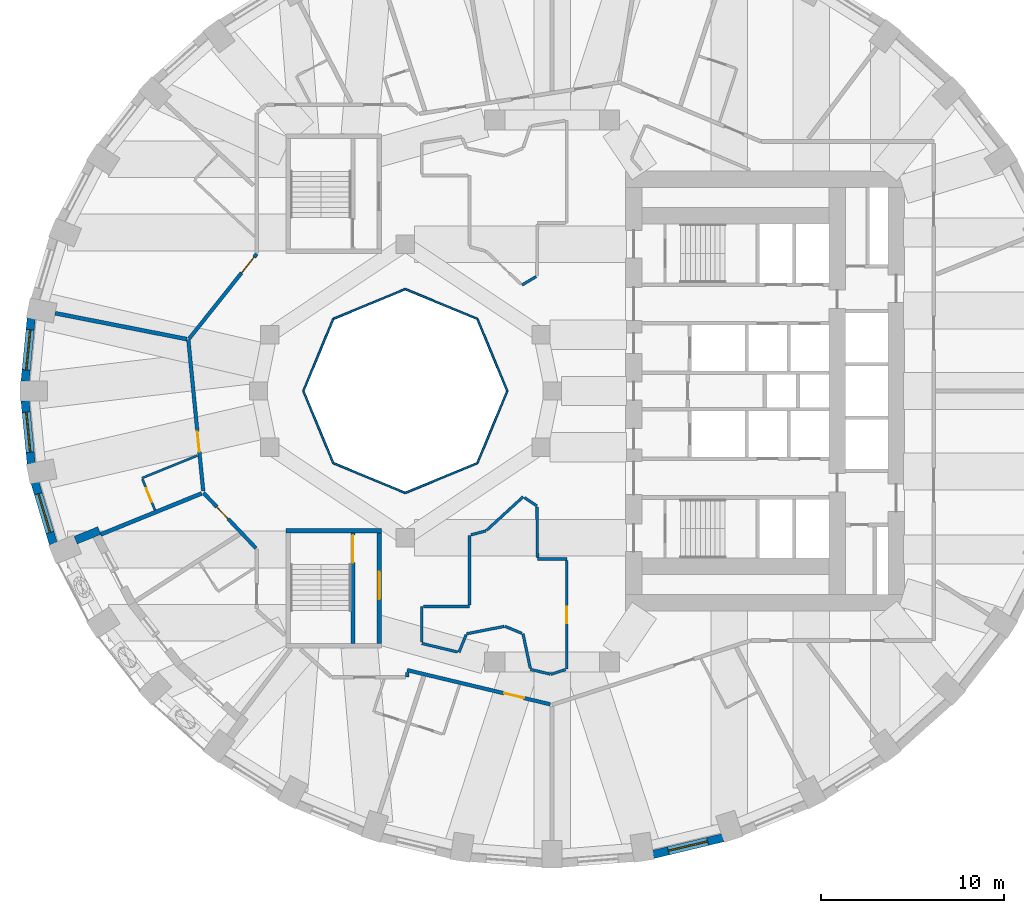
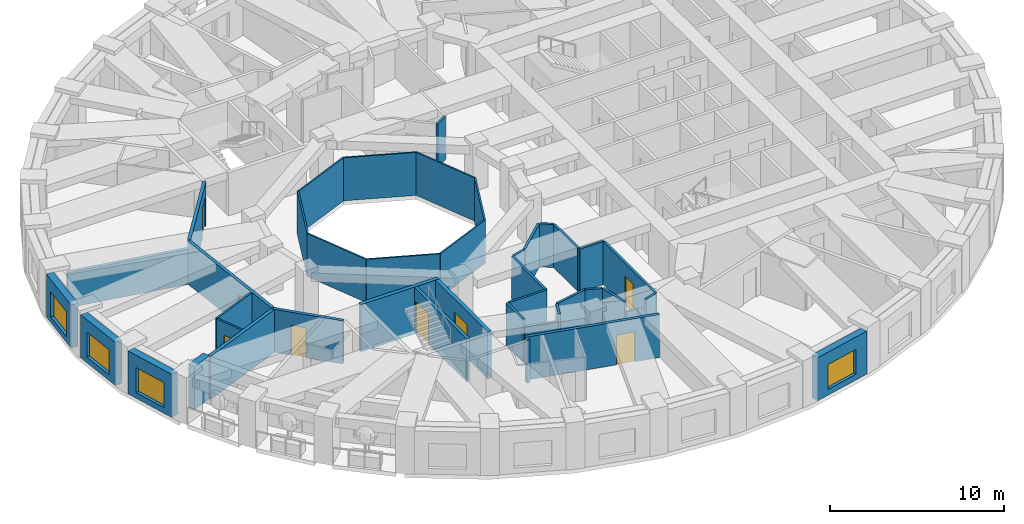
# One storey, part 4 of 13: 42 walls, 8 doors, 4 windows, 12 openings.
"""IFC4 building model written with IfcOpenShell, lengths in metres."""

from ifc_helpers import new_model, si_unit, direction, frame, frame_2d, origin, place, context, subcontext, project, spatial, rectangle, extrude, material, layer, layer_set, type_object, element, fill, save


model = new_model("IFC4")

# Units and contexts
model_context = context("Model", 3, precision=1e-05, world=origin(), true_north=direction((0.0, 1.0)))
body_context = subcontext(model_context, "Body", "Model", "MODEL_VIEW")
ifc_project = project(units=[si_unit("LENGTHUNIT", "METRE"), si_unit("AREAUNIT", "SQUARE_METRE"), si_unit("VOLUMEUNIT", "CUBIC_METRE"), si_unit("PLANEANGLEUNIT", "RADIAN"), si_unit("MASSUNIT", "GRAM", prefix="KILO")], contexts=[model_context])

# Site, building, storey
site_placement = place(None, origin())
site = spatial("IfcSite", under=ifc_project, at=site_placement, CompositionType="ELEMENT")
building_placement = place(site_placement, origin())
building = spatial("IfcBuilding", under=site, at=building_placement, Name="Taillehof Tower", CompositionType="ELEMENT")
storey_placement = place(building_placement, frame((0.0, 0.0, 54.699951171875)))
storey = spatial("IfcBuildingStorey", under=building, at=storey_placement, Name="L14", CompositionType="ELEMENT", Elevation=54.699951171875)

# Walls
ifc_material_1 = material(Name="Fire-resisting glass in steel frame", Category="steel")
ifc_layer_1 = layer(ifc_material_1, 0.10009765625)
ifc_layer_set_1 = layer_set([ifc_layer_1], Name="Atrium fire-resisting screen EI 60 100")
wall_type_1 = type_object("IfcWallType", Name="Atrium fire-resisting screen EI 60 100", PredefinedType="PARTITIONING", material=ifc_layer_set_1)
for number, where, z_axis, x_axis, name in (
    (1, (-2.44580078125, 0.0, 0.0), (0.0, 0.0, 1.0), (-0.382730523909, -0.923860025149, 0.0), "Atrium screen"),
    (2, (-4.07275390625, -3.92724609375, 0.0), (0.0, 0.0, 1.0), (-0.923860025149, -0.382730523909, 0.0), "Atrium screen"),
    (3, (-8.0, -5.55419921875, 0.0), (0.0, 0.0, 1.0), (-0.923860025149, 0.382730523909, 0.0), "Atrium screen"),
    (4, (-11.92724609375, -3.92724609375, 0.0), (0.0, 0.0, 1.0), (-0.382730523909, 0.923860025149, 0.0), "Atrium screen"),
    (5, (-13.55419921875, 0.0, 0.0), (0.0, 0.0, 1.0), (0.382730523909, 0.923860025149, 0.0), "Atrium screen"),
    (6, (-11.92724609375, 3.92724609375, 0.0), (0.0, 0.0, 1.0), (0.923860025149, 0.382730523909, 0.0), "Atrium screen"),
    (7, (-8.0, 5.55419921875, 0.0), (0.0, 0.0, 1.0), (0.923860025149, -0.382730523909, 0.0), "Atrium screen"),
    (8, (-4.07275390625, 3.92724609375, 0.0), (0.0, 0.0, 1.0), (0.382730523909, -0.923860025149, 0.0), "Atrium screen"),
):
    element("IfcWall", number, at=place(storey_placement, frame(where, z_axis=z_axis, x_axis=x_axis)), inside=storey, type_object=wall_type_1, Name=name, PredefinedType="PARTITIONING", context=body_context, shape_type="SweptSolid", body=[
        extrude(rectangle(XDim=4.2509765625, YDim=0.10009765625, at=frame_2d((2.12548828125, 0.0))), origin(), (0.0, 0.0, 1.0), 3.02001953125),
    ])

# Wall, opening, window
ifc_material_2 = material(Name="Brick masonry", Category="masonry")
ifc_layer_2 = layer(ifc_material_2, 0.449951171875)
ifc_layer_set_2 = layer_set([ifc_layer_2], Name="Brick infill wall 450")
wall_type_2 = type_object("IfcWallType", Name="Brick infill wall 450", PredefinedType="SOLIDWALL", material=ifc_layer_set_2)
wall_1_placement = place(storey_placement, frame((-28.38671875, 3.95556640625, 0.0), z_axis=(0.0, 0.0, 1.0), x_axis=(-0.097389581596, -0.995246336038, 0.0)))
wall_1 = element("IfcWall", 9, at=wall_1_placement, inside=storey, type_object=wall_type_2, Name="Brick wall L14 bay 18", PredefinedType="SOLIDWALL", context=body_context, shape_type="SweptSolid", body=[
    extrude(rectangle(XDim=3.44189453125, YDim=0.449951171875, at=frame_2d((1.720947265625, 0.0))), origin(), (0.0, 0.0, 1.0), 3.02001953125),
])
opening_1_placement = place(wall_1_placement, frame((0.62109375, 0.0, 0.39990234375)))
opening_1 = element("IfcOpeningElement", 10, at=opening_1_placement, cuts=wall_1, Name="Opening W1", PredefinedType="OPENING", context=body_context, shape_type="SweptSolid", body=[
    extrude(rectangle(XDim=2.199951171875, YDim=1.75, at=frame_2d((1.10009765625, 0.875))), frame((0.0, 0.23486328125, 0.0), z_axis=(0.0, -1.0, 0.0), x_axis=(1.0, 0.0, 0.0)), (0.0, 0.0, 1.0), 0.469970703125),
])
ifc_material_3 = material(Name="Aluminium window frame with clear double glazing", Category="aluminium")
window_type = type_object("IfcWindowType", Name="Deep-set window 2200x1750", PartitioningType="SINGLE_PANEL", PredefinedType="WINDOW", material=ifc_material_3)
window_1_placement = place(opening_1_placement, origin())
window_1 = element("IfcWindow", 11, at=window_1_placement, inside=storey, type_object=window_type, Name="W1", OverallHeight=1.75, OverallWidth=2.199951171875, PartitioningType="SINGLE_PANEL", PredefinedType="WINDOW", context=body_context, shape_type="SweptSolid", body=[
    extrude(rectangle(XDim=2.199951171875, YDim=1.75, at=frame_2d((1.10009765625, 0.875))), frame((0.0, 0.034912109375, 0.0), z_axis=(0.0, -1.0, 0.0), x_axis=(1.0, 0.0, 0.0)), (0.0, 0.0, 1.0), 0.06005859375),
])
fill(opening_1, window_1)

wall_2_placement = place(storey_placement, frame((-28.721923828125, -0.530029296875, 0.0), z_axis=(0.0, 0.0, 1.0), x_axis=(0.097389581596, -0.995246336038, 0.0)))
wall_2 = element("IfcWall", 12, at=wall_2_placement, inside=storey, type_object=wall_type_2, Name="Brick wall L14 bay 19", PredefinedType="SOLIDWALL", context=body_context, shape_type="SweptSolid", body=[
    extrude(rectangle(XDim=3.44189453125, YDim=0.449951171875, at=frame_2d((1.720947265625, 0.0))), origin(), (0.0, 0.0, 1.0), 3.02001953125),
])
opening_2_placement = place(wall_2_placement, frame((0.62109375, 0.0, 0.39990234375)))
opening_2 = element("IfcOpeningElement", 13, at=opening_2_placement, cuts=wall_2, Name="Opening W1", PredefinedType="OPENING", context=body_context, shape_type="SweptSolid", body=[
    extrude(rectangle(XDim=2.199951171875, YDim=1.75, at=frame_2d((1.10009765625, 0.875))), frame((0.0, 0.23486328125, 0.0), z_axis=(0.0, -1.0, 0.0), x_axis=(1.0, 0.0, 0.0)), (0.0, 0.0, 1.0), 0.469970703125),
])
window_2_placement = place(opening_2_placement, origin())
window_2 = element("IfcWindow", 14, at=window_2_placement, inside=storey, type_object=window_type, Name="W1", OverallHeight=1.75, OverallWidth=2.199951171875, PartitioningType="SINGLE_PANEL", PredefinedType="WINDOW", context=body_context, shape_type="SweptSolid", body=[
    extrude(rectangle(XDim=2.199951171875, YDim=1.75, at=frame_2d((1.10009765625, 0.875))), frame((0.0, 0.034912109375, 0.0), z_axis=(0.0, -1.0, 0.0), x_axis=(1.0, 0.0, 0.0)), (0.0, 0.0, 1.0), 0.06005859375),
])
fill(opening_2, window_2)

wall_3_placement = place(storey_placement, frame((-28.181884765625, -4.995849609375, 0.0), z_axis=(0.0, 0.0, 1.0), x_axis=(0.287064133733, -0.957911364963, 0.0)))
wall_3 = element("IfcWall", 15, at=wall_3_placement, inside=storey, type_object=wall_type_2, Name="Brick wall L14 bay 20", PredefinedType="SOLIDWALL", context=body_context, shape_type="SweptSolid", body=[
    extrude(rectangle(XDim=3.473388671875, YDim=0.449951171875, at=frame_2d((1.73681640625, 0.0))), origin(), (0.0, 0.0, 1.0), 3.02001953125),
])
opening_3_placement = place(wall_3_placement, frame((0.63671875, 0.0, 0.39990234375)))
opening_3 = element("IfcOpeningElement", 16, at=opening_3_placement, cuts=wall_3, Name="Opening W1", PredefinedType="OPENING", context=body_context, shape_type="SweptSolid", body=[
    extrude(rectangle(XDim=2.199951171875, YDim=1.75, at=frame_2d((1.10009765625, 0.875))), frame((0.0, 0.23486328125, 0.0), z_axis=(0.0, -1.0, 0.0), x_axis=(1.0, 0.0, 0.0)), (0.0, 0.0, 1.0), 0.469970703125),
])
window_3_placement = place(opening_3_placement, origin())
window_3 = element("IfcWindow", 17, at=window_3_placement, inside=storey, type_object=window_type, Name="W1", OverallHeight=1.75, OverallWidth=2.199951171875, PartitioningType="SINGLE_PANEL", PredefinedType="WINDOW", context=body_context, shape_type="SweptSolid", body=[
    extrude(rectangle(XDim=2.199951171875, YDim=1.75, at=frame_2d((1.10009765625, 0.875))), frame((0.0, 0.034912109375, 0.0), z_axis=(0.0, -1.0, 0.0), x_axis=(1.0, 0.0, 0.0)), (0.0, 0.0, 1.0), 0.06005859375),
])
fill(opening_3, window_3)

wall_4_placement = place(storey_placement, frame((5.50439453125, -25.260498046875, 0.0), z_axis=(0.0, 0.0, 1.0), x_axis=(0.972496561493, 0.232917233979, 0.0)))
wall_4 = element("IfcWall", 18, at=wall_4_placement, inside=storey, type_object=wall_type_2, Name="Brick wall L14 bay 29", PredefinedType="SOLIDWALL", context=body_context, shape_type="SweptSolid", body=[
    extrude(rectangle(XDim=3.910888671875, YDim=0.449951171875, at=frame_2d((1.95556640625, 0.0))), origin(), (0.0, 0.0, 1.0), 3.02001953125),
])
opening_4_placement = place(wall_4_placement, frame((0.855224609375, 0.0, 0.39990234375)))
opening_4 = element("IfcOpeningElement", 19, at=opening_4_placement, cuts=wall_4, Name="Opening W1", PredefinedType="OPENING", context=body_context, shape_type="SweptSolid", body=[
    extrude(rectangle(XDim=2.199951171875, YDim=1.75, at=frame_2d((1.10009765625, 0.875))), frame((0.0, 0.23486328125, 0.0), z_axis=(0.0, -1.0, 0.0), x_axis=(1.0, 0.0, 0.0)), (0.0, 0.0, 1.0), 0.469970703125),
])
window_4_placement = place(opening_4_placement, origin())
window_4 = element("IfcWindow", 20, at=window_4_placement, inside=storey, type_object=window_type, Name="W1", OverallHeight=1.75, OverallWidth=2.199951171875, PartitioningType="SINGLE_PANEL", PredefinedType="WINDOW", context=body_context, shape_type="SweptSolid", body=[
    extrude(rectangle(XDim=2.199951171875, YDim=1.75, at=frame_2d((1.10009765625, 0.875))), frame((0.0, 0.034912109375, 0.0), z_axis=(0.0, -1.0, 0.0), x_axis=(1.0, 0.0, 0.0)), (0.0, 0.0, 1.0), 0.06005859375),
])
fill(opening_4, window_4)

# Wall
wall_5_placement = place(storey_placement, frame((-25.96484375, -8.12744140625, 0.0), z_axis=(0.0, 0.0, 1.0), x_axis=(0.926575599743, 0.376108572039, 0.0)))
element("IfcWall", 21, at=wall_5_placement, inside=storey, type_object=wall_type_2, Name="Brick reveal L14 pocket 6", PredefinedType="SOLIDWALL", context=body_context, shape_type="SweptSolid", body=[
    extrude(rectangle(XDim=1.390380859375, YDim=0.449951171875, at=frame_2d((0.6953125, 0.0))), origin(), (0.0, 0.0, 1.0), 3.02001953125),
])

# Wall, opening, door
ifc_material_4 = material(Name="Gypsum board on steel studs, two layers each side", Category="steel")
ifc_layer_3 = layer(ifc_material_4, 0.199951171875)
ifc_layer_set_3 = layer_set([ifc_layer_3], Name="Compartment wall corridor 200")
wall_type_3 = type_object("IfcWallType", Name="Compartment wall corridor 200", PredefinedType="PARTITIONING", material=ifc_layer_set_3)
wall_6_placement = place(storey_placement, frame((-16.14111328125, -8.565673828125, 0.0), z_axis=(0.0, 0.0, 1.0), x_axis=(-0.687938220375, 0.725769250483, 0.0)))
wall_6 = element("IfcWall", 22, at=wall_6_placement, inside=storey, type_object=wall_type_3, Name="Compartment wall", PredefinedType="PARTITIONING", context=body_context, shape_type="SweptSolid", body=[
    extrude(rectangle(XDim=4.162353515625, YDim=0.199951171875, at=frame_2d((2.0810546875, 0.0))), origin(), (0.0, 0.0, 1.0), 3.02001953125),
])
opening_5_placement = place(wall_6_placement, frame((2.201171875, 0.0, 0.0)))
opening_5 = element("IfcOpeningElement", 23, at=opening_5_placement, cuts=wall_6, Name="Opening D1454", PredefinedType="OPENING", context=body_context, shape_type="SweptSolid", body=[
    extrude(rectangle(XDim=0.89990234375, YDim=2.10009765625, at=frame_2d((0.449951171875, 1.050048828125))), frame((0.0, 0.10986328125, 0.0), z_axis=(0.0, -1.0, 0.0), x_axis=(1.0, 0.0, 0.0)), (0.0, 0.0, 1.0), 0.219970703125),
])
ifc_material_5 = material(Name="Timber door leaf in steel frame", Category="steel")
door_type_1 = type_object("IfcDoorType", Name="Service room door EI 30 900 x 2100", OperationType="SINGLE_SWING_LEFT", PredefinedType="DOOR", material=ifc_material_5)
door_1_placement = place(opening_5_placement, origin())
door_1 = element("IfcDoor", 24, at=door_1_placement, inside=storey, type_object=door_type_1, Name="D1454", OperationType="SINGLE_SWING_LEFT", OverallHeight=2.10009765625, OverallWidth=0.89990234375, PredefinedType="DOOR", context=body_context, shape_type="SweptSolid", body=[
    extrude(rectangle(XDim=0.89990234375, YDim=2.10009765625, at=frame_2d((0.449951171875, 1.050048828125))), frame((0.0, 0.02490234375, 0.0), z_axis=(0.0, -1.0, 0.0), x_axis=(1.0, 0.0, 0.0)), (0.0, 0.0, 1.0), 0.050048828125),
])
fill(opening_5, door_1)

wall_7_placement = place(storey_placement, frame((-19.014404296875, -5.444580078125, 0.0), z_axis=(0.0, 0.0, 1.0), x_axis=(-0.098076369896, 0.995178891289, 0.0)))
wall_7 = element("IfcWall", 25, at=wall_7_placement, inside=storey, type_object=wall_type_3, Name="Compartment wall", PredefinedType="PARTITIONING", context=body_context, shape_type="SweptSolid", body=[
    extrude(rectangle(XDim=8.281982421875, YDim=0.199951171875, at=frame_2d((4.14111328125, 0.0))), origin(), (0.0, 0.0, 1.0), 3.02001953125),
])
opening_6_placement = place(wall_7_placement, frame((2.142333984375, 0.0, 0.0)))
opening_6 = element("IfcOpeningElement", 26, at=opening_6_placement, cuts=wall_7, Name="Opening D1452", PredefinedType="OPENING", context=body_context, shape_type="SweptSolid", body=[
    extrude(rectangle(XDim=1.10009765625, YDim=2.10009765625, at=frame_2d((0.550048828125, 1.050048828125))), frame((0.0, 0.10986328125, 0.0), z_axis=(0.0, -1.0, 0.0), x_axis=(1.0, 0.0, 0.0)), (0.0, 0.0, 1.0), 0.219970703125),
])
ifc_material_6 = material(Name="Timber door leaf in steel frame", Category="steel")
door_type_2 = type_object("IfcDoorType", Name="Suite entrance door EI 30 1100 x 2100", OperationType="SINGLE_SWING_LEFT", PredefinedType="DOOR", material=ifc_material_6)
door_2_placement = place(opening_6_placement, origin())
door_2 = element("IfcDoor", 27, at=door_2_placement, inside=storey, type_object=door_type_2, Name="D1452", OperationType="SINGLE_SWING_LEFT", OverallHeight=2.10009765625, OverallWidth=1.10009765625, PredefinedType="DOOR", context=body_context, shape_type="SweptSolid", body=[
    extrude(rectangle(XDim=1.10009765625, YDim=2.10009765625, at=frame_2d((0.550048828125, 1.050048828125))), frame((0.0, 0.02490234375, 0.0), z_axis=(0.0, -1.0, 0.0), x_axis=(1.0, 0.0, 0.0)), (0.0, 0.0, 1.0), 0.050048828125),
])
fill(opening_6, door_2)

wall_8_placement = place(storey_placement, frame((-19.789306640625, 2.84423828125, 0.0), z_axis=(0.0, 0.0, 1.0), x_axis=(0.623300670662, 0.781982272147, 0.0)))
wall_8 = element("IfcWall", 28, at=wall_8_placement, inside=storey, type_object=wall_type_3, Name="Compartment wall", PredefinedType="PARTITIONING", context=body_context, shape_type="SweptSolid", body=[
    extrude(rectangle(XDim=5.9189453125, YDim=0.199951171875, at=frame_2d((2.95947265625, 0.0))), origin(), (0.0, 0.0, 1.0), 3.02001953125),
])
opening_7_placement = place(wall_8_placement, frame((4.598876953125, 0.0, 0.0)))
opening_7 = element("IfcOpeningElement", 29, at=opening_7_placement, cuts=wall_8, Name="Opening D1450", PredefinedType="OPENING", context=body_context, shape_type="SweptSolid", body=[
    extrude(rectangle(XDim=1.10009765625, YDim=2.10009765625, at=frame_2d((0.550048828125, 1.050048828125))), frame((0.0, 0.10986328125, 0.0), z_axis=(0.0, -1.0, 0.0), x_axis=(1.0, 0.0, 0.0)), (0.0, 0.0, 1.0), 0.219970703125),
])
door_3_placement = place(opening_7_placement, origin())
door_3 = element("IfcDoor", 30, at=door_3_placement, inside=storey, type_object=door_type_2, Name="D1450", OperationType="SINGLE_SWING_RIGHT", OverallHeight=2.10009765625, OverallWidth=1.10009765625, PredefinedType="DOOR", context=body_context, shape_type="SweptSolid", body=[
    extrude(rectangle(XDim=1.10009765625, YDim=2.10009765625, at=frame_2d((0.550048828125, 1.050048828125))), frame((0.0, 0.02490234375, 0.0), z_axis=(0.0, -1.0, 0.0), x_axis=(1.0, 0.0, 0.0)), (0.0, 0.0, 1.0), 0.050048828125),
])
fill(opening_7, door_3)

wall_9_placement = place(storey_placement, frame((-0.09765625, -17.076904296875, 0.0), z_axis=(0.0, 0.0, 1.0), x_axis=(-0.972607318404, 0.232454305588, 0.0)))
wall_9 = element("IfcWall", 31, at=wall_9_placement, inside=storey, type_object=wall_type_3, Name="Compartment wall", PredefinedType="PARTITIONING", context=body_context, shape_type="SweptSolid", body=[
    extrude(rectangle(XDim=8.02197265625, YDim=0.199951171875, at=frame_2d((4.010986328125, 0.0))), origin(), (0.0, 0.0, 1.0), 3.02001953125),
])
opening_8_placement = place(wall_9_placement, frame((1.478759765625, 0.0, 0.0)))
opening_8 = element("IfcOpeningElement", 32, at=opening_8_placement, cuts=wall_9, Name="Opening D1459", PredefinedType="OPENING", context=body_context, shape_type="SweptSolid", body=[
    extrude(rectangle(XDim=1.10009765625, YDim=2.10009765625, at=frame_2d((0.550048828125, 1.050048828125))), frame((0.0, 0.10986328125, 0.0), z_axis=(0.0, -1.0, 0.0), x_axis=(1.0, 0.0, 0.0)), (0.0, 0.0, 1.0), 0.219970703125),
])
door_4_placement = place(opening_8_placement, origin())
door_4 = element("IfcDoor", 33, at=door_4_placement, inside=storey, type_object=door_type_2, Name="D1459", OperationType="SINGLE_SWING_LEFT", OverallHeight=2.10009765625, OverallWidth=1.10009765625, PredefinedType="DOOR", context=body_context, shape_type="SweptSolid", body=[
    extrude(rectangle(XDim=1.10009765625, YDim=2.10009765625, at=frame_2d((0.550048828125, 1.050048828125))), frame((0.0, 0.02490234375, 0.0), z_axis=(0.0, -1.0, 0.0), x_axis=(1.0, 0.0, 0.0)), (0.0, 0.0, 1.0), 0.050048828125),
])
fill(opening_8, door_4)

# Walls
wall_10_placement = place(storey_placement, frame((-7.89990234375, -15.332275390625, 0.0), z_axis=(0.0, 0.0, 1.0), x_axis=(0.0, -1.0, 0.0)))
element("IfcWall", 34, at=wall_10_placement, inside=storey, type_object=wall_type_3, Name="Compartment wall", PredefinedType="PARTITIONING", context=body_context, shape_type="SweptSolid", body=[
    extrude(rectangle(XDim=0.267822265625, YDim=0.199951171875, at=frame_2d((0.1337890625, 0.0))), origin(), (0.0, 0.0, 1.0), 3.02001953125),
])
ifc_material_7 = material(Name="Gypsum board on double steel studs with mineral wool", Category="steel")
ifc_layer_4 = layer(ifc_material_7, 0.219970703125)
ifc_layer_set_4 = layer_set([ifc_layer_4], Name="Compartment wall guest room 220")
wall_type_4 = type_object("IfcWallType", Name="Compartment wall guest room 220", PredefinedType="PARTITIONING", material=ifc_layer_set_4)
wall_11_placement = place(storey_placement, frame((-27.0849609375, 4.239990234375, 0.0), z_axis=(0.0, 0.0, 1.0), x_axis=(0.981202333999, -0.192981811981, 0.0)))
element("IfcWall", 35, at=wall_11_placement, inside=storey, type_object=wall_type_4, Name="Compartment wall", PredefinedType="PARTITIONING", context=body_context, shape_type="SweptSolid", body=[
    extrude(rectangle(XDim=7.312255859375, YDim=0.219970703125, at=frame_2d((3.65625, 0.0))), origin(), (0.0, 0.0, 1.0), 2.469970703125),
])
wall_12_placement = place(storey_placement, frame((-24.608642578125, -7.81982421875, 0.0), z_axis=(0.0, 0.0, 1.0), x_axis=(0.926562262773, 0.376141427131, 0.0)))
element("IfcWall", 36, at=wall_12_placement, inside=storey, type_object=wall_type_4, Name="Compartment wall", PredefinedType="PARTITIONING", context=body_context, shape_type="SweptSolid", body=[
    extrude(rectangle(XDim=5.947998046875, YDim=0.219970703125, at=frame_2d((2.97412109375, 0.0))), origin(), (0.0, 0.0, 1.0), 3.02001953125),
])
ifc_material_8 = material(Name="Gypsum board on steel studs, two layers each side", Category="steel")
ifc_layer_5 = layer(ifc_material_8, 0.14990234375)
ifc_layer_set_5 = layer_set([ifc_layer_5], Name="Compartment wall service room 150")
wall_type_5 = type_object("IfcWallType", Name="Compartment wall service room 150", PredefinedType="PARTITIONING", material=ifc_layer_set_5)
wall_13_placement = place(storey_placement, frame((-0.87353515625, 6.234375, 0.0), z_axis=(0.0, 0.0, 1.0), x_axis=(-0.857759476535, -0.514051242984, 0.0)))
element("IfcWall", 37, at=wall_13_placement, inside=storey, type_object=wall_type_5, Name="Compartment wall", PredefinedType="PARTITIONING", context=body_context, shape_type="SweptSolid", body=[
    extrude(rectangle(XDim=0.888671875, YDim=0.14990234375, at=frame_2d((0.4443359375, 0.0))), origin(), (0.0, 0.0, 1.0), 3.02001953125),
])
wall_14_placement = place(storey_placement, frame((-0.800048828125, -9.14990234375, 0.0), z_axis=(0.0, 0.0, 1.0), x_axis=(1.0, 0.0, 0.0)))
element("IfcWall", 38, at=wall_14_placement, inside=storey, type_object=wall_type_5, Name="Compartment wall", PredefinedType="PARTITIONING", context=body_context, shape_type="SweptSolid", body=[
    extrude(rectangle(XDim=1.60009765625, YDim=0.14990234375, at=frame_2d((0.800048828125, 0.0))), origin(), (0.0, 0.0, 1.0), 3.02001953125),
])

# Wall, opening, door
wall_15_placement = place(storey_placement, frame((0.800048828125, -9.22998046875, 0.0), z_axis=(0.0, 0.0, 1.0), x_axis=(0.0, -1.0, 0.0)))
wall_15 = element("IfcWall", 39, at=wall_15_placement, inside=storey, type_object=wall_type_5, Name="Compartment wall", PredefinedType="PARTITIONING", context=body_context, shape_type="SweptSolid", body=[
    extrude(rectangle(XDim=5.929931640625, YDim=0.14990234375, at=frame_2d((2.96484375, 0.0))), origin(), (0.0, 0.0, 1.0), 3.02001953125),
])
opening_9_placement = place(wall_15_placement, frame((2.514892578125, 0.0, 0.0)))
opening_9 = element("IfcOpeningElement", 40, at=opening_9_placement, cuts=wall_15, Name="Opening D1470", PredefinedType="OPENING", context=body_context, shape_type="SweptSolid", body=[
    extrude(rectangle(XDim=0.89990234375, YDim=2.10009765625, at=frame_2d((0.449951171875, 1.050048828125))), frame((0.0, 0.0849609375, 0.0), z_axis=(0.0, -1.0, 0.0), x_axis=(1.0, 0.0, 0.0)), (0.0, 0.0, 1.0), 0.169921875),
])
door_5_placement = place(opening_9_placement, origin())
door_5 = element("IfcDoor", 41, at=door_5_placement, inside=storey, type_object=door_type_1, Name="D1470", OperationType="SINGLE_SWING_LEFT", OverallHeight=2.10009765625, OverallWidth=0.89990234375, PredefinedType="DOOR", context=body_context, shape_type="SweptSolid", body=[
    extrude(rectangle(XDim=0.89990234375, YDim=2.10009765625, at=frame_2d((0.449951171875, 1.050048828125))), frame((0.0, 0.02490234375, 0.0), z_axis=(0.0, -1.0, 0.0), x_axis=(1.0, 0.0, 0.0)), (0.0, 0.0, 1.0), 0.050048828125),
])
fill(opening_9, door_5)

# Walls
wall_16_placement = place(storey_placement, frame((0.723876953125, -15.184326171875, 0.0), z_axis=(0.0, 0.0, 1.0), x_axis=(-0.951444518554, -0.307820285415, 0.0)))
element("IfcWall", 42, at=wall_16_placement, inside=storey, type_object=wall_type_5, Name="Compartment wall", PredefinedType="PARTITIONING", context=body_context, shape_type="SweptSolid", body=[
    extrude(rectangle(XDim=0.828857421875, YDim=0.14990234375, at=frame_2d((0.41455078125, 0.0))), origin(), (0.0, 0.0, 1.0), 3.02001953125),
])
wall_17_placement = place(storey_placement, frame((-0.103759765625, -15.43017578125, 0.0), z_axis=(0.0, 0.0, 1.0), x_axis=(-0.972630060885, 0.232359128642, 0.0)))
element("IfcWall", 43, at=wall_17_placement, inside=storey, type_object=wall_type_5, Name="Compartment wall", PredefinedType="PARTITIONING", context=body_context, shape_type="SweptSolid", body=[
    extrude(rectangle(XDim=1.102294921875, YDim=0.14990234375, at=frame_2d((0.55126953125, 0.0))), origin(), (0.0, 0.0, 1.0), 2.420166015625),
])
wall_18_placement = place(storey_placement, frame((-1.188232421875, -15.115478515625, 0.0), z_axis=(0.0, 0.0, 1.0), x_axis=(-0.20649628494, 0.978447384536, 0.0)))
element("IfcWall", 44, at=wall_18_placement, inside=storey, type_object=wall_type_5, Name="Compartment wall", PredefinedType="PARTITIONING", context=body_context, shape_type="SweptSolid", body=[
    extrude(rectangle(XDim=1.9248046875, YDim=0.14990234375, at=frame_2d((0.96240234375, 0.0))), origin(), (0.0, 0.0, 1.0), 3.02001953125),
])
wall_19_placement = place(storey_placement, frame((-1.641357421875, -13.20947265625, 0.0), z_axis=(0.0, 0.0, 1.0), x_axis=(-0.923725449546, 0.383055209937, 0.0)))
element("IfcWall", 45, at=wall_19_placement, inside=storey, type_object=wall_type_5, Name="Compartment wall", PredefinedType="PARTITIONING", context=body_context, shape_type="SweptSolid", body=[
    extrude(rectangle(XDim=1.011474609375, YDim=0.14990234375, at=frame_2d((0.505859375, 0.0))), origin(), (0.0, 0.0, 1.0), 3.02001953125),
])
wall_20_placement = place(storey_placement, frame((-2.61474609375, -12.829833984375, 0.0), z_axis=(0.0, 0.0, 1.0), x_axis=(-0.981297312652, -0.192498270593, 0.0)))
element("IfcWall", 46, at=wall_20_placement, inside=storey, type_object=wall_type_5, Name="Compartment wall", PredefinedType="PARTITIONING", context=body_context, shape_type="SweptSolid", body=[
    extrude(rectangle(XDim=2.090087890625, YDim=0.14990234375, at=frame_2d((1.044921875, 0.0))), origin(), (0.0, 0.0, 1.0), 3.02001953125),
])
wall_21_placement = place(storey_placement, frame((-4.6884765625, -13.287841796875, 0.0), z_axis=(0.0, 0.0, 1.0), x_axis=(-0.375963709287, -0.926634388148, 0.0)))
element("IfcWall", 47, at=wall_21_placement, inside=storey, type_object=wall_type_5, Name="Compartment wall", PredefinedType="PARTITIONING", context=body_context, shape_type="SweptSolid", body=[
    extrude(rectangle(XDim=1.02978515625, YDim=0.14990234375, at=frame_2d((0.514892578125, 0.0))), origin(), (0.0, 0.0, 1.0), 3.02001953125),
])
wall_22_placement = place(storey_placement, frame((-5.15380859375, -14.2236328125, 0.0), z_axis=(0.0, 0.0, 1.0), x_axis=(-0.97258848944, 0.232533073366, 0.0)))
element("IfcWall", 48, at=wall_22_placement, inside=storey, type_object=wall_type_5, Name="Compartment wall", PredefinedType="PARTITIONING", context=body_context, shape_type="SweptSolid", body=[
    extrude(rectangle(XDim=2.001220703125, YDim=0.14990234375, at=frame_2d((1.00048828125, 0.0))), origin(), (0.0, 0.0, 1.0), 2.570068359375),
])
wall_23_placement = place(storey_placement, frame((-7.10009765625, -13.67822265625, 0.0), z_axis=(0.0, 0.0, 1.0), x_axis=(0.0, 1.0, 0.0)))
element("IfcWall", 49, at=wall_23_placement, inside=storey, type_object=wall_type_5, Name="Compartment wall", PredefinedType="PARTITIONING", context=body_context, shape_type="SweptSolid", body=[
    extrude(rectangle(XDim=1.92822265625, YDim=0.14990234375, at=frame_2d((0.964111328125, 0.0))), origin(), (0.0, 0.0, 1.0), 3.02001953125),
])
wall_24_placement = place(storey_placement, frame((-7.02001953125, -11.75, 0.0), z_axis=(0.0, 0.0, 1.0), x_axis=(1.0, 0.0, 0.0)))
element("IfcWall", 50, at=wall_24_placement, inside=storey, type_object=wall_type_5, Name="Compartment wall", PredefinedType="PARTITIONING", context=body_context, shape_type="SweptSolid", body=[
    extrude(rectangle(XDim=2.52001953125, YDim=0.14990234375, at=frame_2d((1.260009765625, 0.0))), origin(), (0.0, 0.0, 1.0), 3.02001953125),
])
wall_25_placement = place(storey_placement, frame((-4.5, -11.669921875, 0.0), z_axis=(0.0, 0.0, 1.0), x_axis=(0.0, 1.0, 0.0)))
element("IfcWall", 51, at=wall_25_placement, inside=storey, type_object=wall_type_5, Name="Compartment wall", PredefinedType="PARTITIONING", context=body_context, shape_type="SweptSolid", body=[
    extrude(rectangle(XDim=3.807861328125, YDim=0.14990234375, at=frame_2d((1.90380859375, 0.0))), origin(), (0.0, 0.0, 1.0), 3.02001953125),
])
wall_26_placement = place(storey_placement, frame((-4.4228515625, -7.841552734375, 0.0), z_axis=(0.0, 0.0, 1.0), x_axis=(0.965853333569, 0.259089440221, 0.0)))
element("IfcWall", 52, at=wall_26_placement, inside=storey, type_object=wall_type_5, Name="Compartment wall", PredefinedType="PARTITIONING", context=body_context, shape_type="SweptSolid", body=[
    extrude(rectangle(XDim=0.851806640625, YDim=0.14990234375, at=frame_2d((0.42578125, 0.0))), origin(), (0.0, 0.0, 1.0), 3.02001953125),
])
wall_27_placement = place(storey_placement, frame((-3.57080078125, -7.593994140625, 0.0), z_axis=(0.0, 0.0, 1.0), x_axis=(0.736783660812, 0.676128565555, 0.0)))
element("IfcWall", 53, at=wall_27_placement, inside=storey, type_object=wall_type_5, Name="Compartment wall", PredefinedType="PARTITIONING", context=body_context, shape_type="SweptSolid", body=[
    extrude(rectangle(XDim=2.708984375, YDim=0.14990234375, at=frame_2d((1.3544921875, 0.0))), origin(), (0.0, 0.0, 1.0), 3.02001953125),
])
wall_28_placement = place(storey_placement, frame((-1.508544921875, -5.806396484375, 0.0), z_axis=(0.0, 0.0, 1.0), x_axis=(0.831367153095, -0.55572354346, 0.0)))
element("IfcWall", 54, at=wall_28_placement, inside=storey, type_object=wall_type_5, Name="Compartment wall", PredefinedType="PARTITIONING", context=body_context, shape_type="SweptSolid", body=[
    extrude(rectangle(XDim=0.825439453125, YDim=0.14990234375, at=frame_2d((0.41259765625, 0.0))), origin(), (0.0, 0.0, 1.0), 3.02001953125),
])
wall_29_placement = place(storey_placement, frame((-0.821533203125, -6.3251953125, 0.0), z_axis=(0.0, 0.0, 1.0), x_axis=(0.007471771501, -0.999972085926, 0.0)))
element("IfcWall", 55, at=wall_29_placement, inside=storey, type_object=wall_type_5, Name="Compartment wall", PredefinedType="PARTITIONING", context=body_context, shape_type="SweptSolid", body=[
    extrude(rectangle(XDim=2.74462890625, YDim=0.14990234375, at=frame_2d((1.372314453125, 0.0))), origin(), (0.0, 0.0, 1.0), 3.02001953125),
])
ifc_material_9 = material(Name="Gypsum board on steel studs, moisture resistant", Category="steel")
ifc_layer_6 = layer(ifc_material_9, 0.1201171875)
ifc_layer_set_6 = layer_set([ifc_layer_6], Name="En-suite wall 120")
wall_type_6 = type_object("IfcWallType", Name="En-suite wall 120", PredefinedType="PARTITIONING", material=ifc_layer_set_6)
wall_30_placement = place(storey_placement, frame((-19.32421875, -3.51611328125, 0.0), z_axis=(0.0, 0.0, 1.0), x_axis=(-0.926573216048, -0.376114444421, 0.0)))
element("IfcWall", 56, at=wall_30_placement, inside=storey, type_object=wall_type_6, Name="En-suite wall", PredefinedType="PARTITIONING", context=body_context, shape_type="SweptSolid", body=[
    extrude(rectangle(XDim=3.26708984375, YDim=0.1201171875, at=frame_2d((1.633544921875, 0.0))), origin(), (0.0, 0.0, 1.0), 3.02001953125),
])

# Wall, opening, door
wall_31_placement = place(storey_placement, frame((-22.32861328125, -4.800537109375, 0.0), z_axis=(0.0, 0.0, 1.0), x_axis=(0.376101474088, -0.926578480858, 0.0)))
wall_31 = element("IfcWall", 57, at=wall_31_placement, inside=storey, type_object=wall_type_6, Name="En-suite wall", PredefinedType="PARTITIONING", context=body_context, shape_type="SweptSolid", body=[
    extrude(rectangle(XDim=1.829833984375, YDim=0.1201171875, at=frame_2d((0.9150390625, 0.0))), origin(), (0.0, 0.0, 1.0), 3.02001953125),
])
opening_10_placement = place(wall_31_placement, frame((0.539794921875, 0.0, 0.0)))
opening_10 = element("IfcOpeningElement", 58, at=opening_10_placement, cuts=wall_31, Name="Opening D1453", PredefinedType="OPENING", context=body_context, shape_type="SweptSolid", body=[
    extrude(rectangle(XDim=0.800048828125, YDim=2.10009765625, at=frame_2d((0.39990234375, 1.050048828125))), frame((0.0, 0.070068359375, 0.0), z_axis=(0.0, -1.0, 0.0), x_axis=(1.0, 0.0, 0.0)), (0.0, 0.0, 1.0), 0.14013671875),
])
ifc_material_10 = material(Name="Timber door leaf in steel frame", Category="steel")
door_type_3 = type_object("IfcDoorType", Name="En-suite door 800 x 2100", OperationType="SINGLE_SWING_LEFT", PredefinedType="DOOR", material=ifc_material_10)
door_6_placement = place(opening_10_placement, origin())
door_6 = element("IfcDoor", 59, at=door_6_placement, inside=storey, type_object=door_type_3, Name="D1453", OperationType="SINGLE_SWING_LEFT", OverallHeight=2.10009765625, OverallWidth=0.800048828125, PredefinedType="DOOR", context=body_context, shape_type="SweptSolid", body=[
    extrude(rectangle(XDim=0.800048828125, YDim=2.10009765625, at=frame_2d((0.39990234375, 1.050048828125))), frame((0.0, 0.02490234375, 0.0), z_axis=(0.0, -1.0, 0.0), x_axis=(1.0, 0.0, 0.0)), (0.0, 0.0, 1.0), 0.050048828125),
])
fill(opening_10, door_6)

ifc_material_11 = material(Name="Concrete C50/60", Category="concrete")
ifc_layer_7 = layer(ifc_material_11, 0.199951171875)
ifc_layer_set_7 = layer_set([ifc_layer_7], Name="Shaft wall C50/60 200")
wall_type_7 = type_object("IfcWallType", Name="Shaft wall C50/60 200", PredefinedType="SHEAR", material=ifc_layer_set_7)
wall_32_placement = place(storey_placement, frame((-10.85009765625, -13.75, 0.0), z_axis=(0.0, 0.0, 1.0), x_axis=(0.0, 1.0, 0.0)))
wall_32 = element("IfcWall", 60, at=wall_32_placement, inside=storey, type_object=wall_type_7, Name="Shaft wall SW", PredefinedType="SHEAR", context=body_context, shape_type="SweptSolid", body=[
    extrude(rectangle(XDim=6.0, YDim=0.199951171875, at=frame_2d((3.0, 0.0))), origin(), (0.0, 0.0, 1.0), 3.02001953125),
])
opening_11_placement = place(wall_32_placement, frame((4.39990234375, 0.0, 0.0)))
opening_11 = element("IfcOpeningElement", 61, at=opening_11_placement, cuts=wall_32, Name="Opening D1413", PredefinedType="OPENING", context=body_context, shape_type="SweptSolid", body=[
    extrude(rectangle(XDim=1.5, YDim=2.10009765625, at=frame_2d((0.75, 1.050048828125))), frame((0.0, 0.10986328125, 0.0), z_axis=(0.0, -1.0, 0.0), x_axis=(1.0, 0.0, 0.0)), (0.0, 0.0, 1.0), 0.219970703125),
])
ifc_material_12 = material(Name="Steel-faced fire door", Category="steel")
door_type_4 = type_object("IfcDoorType", Name="Stair door 1500x2100", OperationType="DOUBLE_DOOR_SINGLE_SWING", PredefinedType="DOOR", material=ifc_material_12)
door_7_placement = place(opening_11_placement, origin())
door_7 = element("IfcDoor", 62, at=door_7_placement, inside=storey, type_object=door_type_4, Name="Stair lobby door S4", OperationType="DOUBLE_DOOR_SINGLE_SWING", OverallHeight=2.10009765625, OverallWidth=1.5, PredefinedType="DOOR", context=body_context, shape_type="SweptSolid", body=[
    extrude(rectangle(XDim=1.5, YDim=2.10009765625, at=frame_2d((0.75, 1.050048828125))), frame((0.0, 0.02490234375, 0.0), z_axis=(0.0, -1.0, 0.0), x_axis=(1.0, 0.0, 0.0)), (0.0, 0.0, 1.0), 0.050048828125),
])
fill(opening_11, door_7)

ifc_material_13 = material(Name="Concrete C50/60", Category="concrete")
ifc_layer_8 = layer(ifc_material_13, 0.25)
ifc_layer_set_8 = layer_set([ifc_layer_8], Name="Stair wall C50/60 250")
wall_type_8 = type_object("IfcWallType", Name="Stair wall C50/60 250", PredefinedType="SHEAR", material=ifc_layer_set_8)
wall_33_placement = place(storey_placement, frame((-9.425048828125, -13.75, -0.280029296875), z_axis=(0.0, 0.0, 1.0), x_axis=(0.0, 1.0, 0.0)))
wall_33 = element("IfcWall", 63, at=wall_33_placement, inside=storey, type_object=wall_type_8, Name="Stair wall SC", PredefinedType="SHEAR", context=body_context, shape_type="SweptSolid", body=[
    extrude(rectangle(XDim=6.0, YDim=0.25, at=frame_2d((3.0, 0.0))), origin(), (0.0, 0.0, 1.0), 3.300048828125),
])
opening_12_placement = place(wall_33_placement, frame((2.39990234375, 0.0, 0.280029296875)))
opening_12 = element("IfcOpeningElement", 64, at=opening_12_placement, cuts=wall_33, Name="Opening D1420", PredefinedType="OPENING", context=body_context, shape_type="SweptSolid", body=[
    extrude(rectangle(XDim=1.5, YDim=2.10009765625, at=frame_2d((0.75, 1.050048828125))), frame((0.0, 0.135009765625, 0.0), z_axis=(0.0, -1.0, 0.0), x_axis=(1.0, 0.0, 0.0)), (0.0, 0.0, 1.0), 0.27001953125),
])
door_8_placement = place(opening_12_placement, origin())
door_8 = element("IfcDoor", 65, at=door_8_placement, inside=storey, type_object=door_type_4, Name="Stair door S4", OperationType="DOUBLE_DOOR_SINGLE_SWING", OverallHeight=2.10009765625, OverallWidth=1.5, PredefinedType="DOOR", context=body_context, shape_type="SweptSolid", body=[
    extrude(rectangle(XDim=1.5, YDim=2.10009765625, at=frame_2d((0.75, 1.050048828125))), frame((0.0, 0.02490234375, 0.0), z_axis=(0.0, -1.0, 0.0), x_axis=(1.0, 0.0, 0.0)), (0.0, 0.0, 1.0), 0.050048828125),
])
fill(opening_12, door_8)

# Wall
wall_34_placement = place(storey_placement, frame((-14.5, -7.625, -0.280029296875), z_axis=(0.0, 0.0, 1.0), x_axis=(1.0, 0.0, 0.0)))
element("IfcWall", 66, at=wall_34_placement, inside=storey, type_object=wall_type_8, Name="Stair wall SC", PredefinedType="SHEAR", context=body_context, shape_type="SweptSolid", body=[
    extrude(rectangle(XDim=5.199951171875, YDim=0.25, at=frame_2d((2.60009765625, 0.0))), origin(), (0.0, 0.0, 1.0), 3.300048828125),
])

save(model, "model.ifc")
